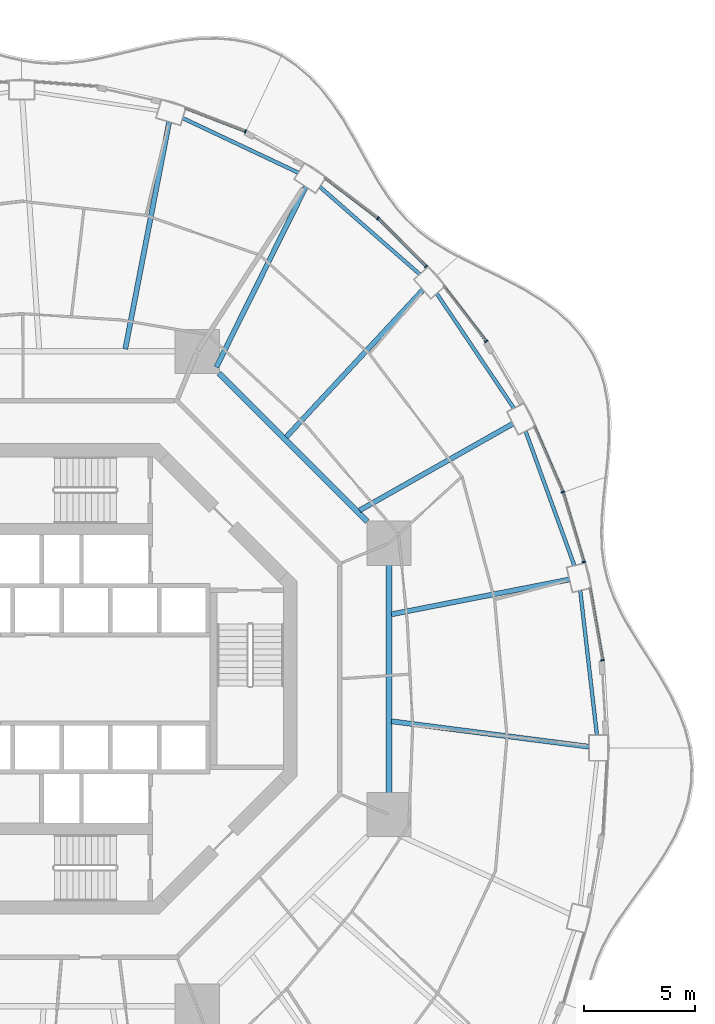
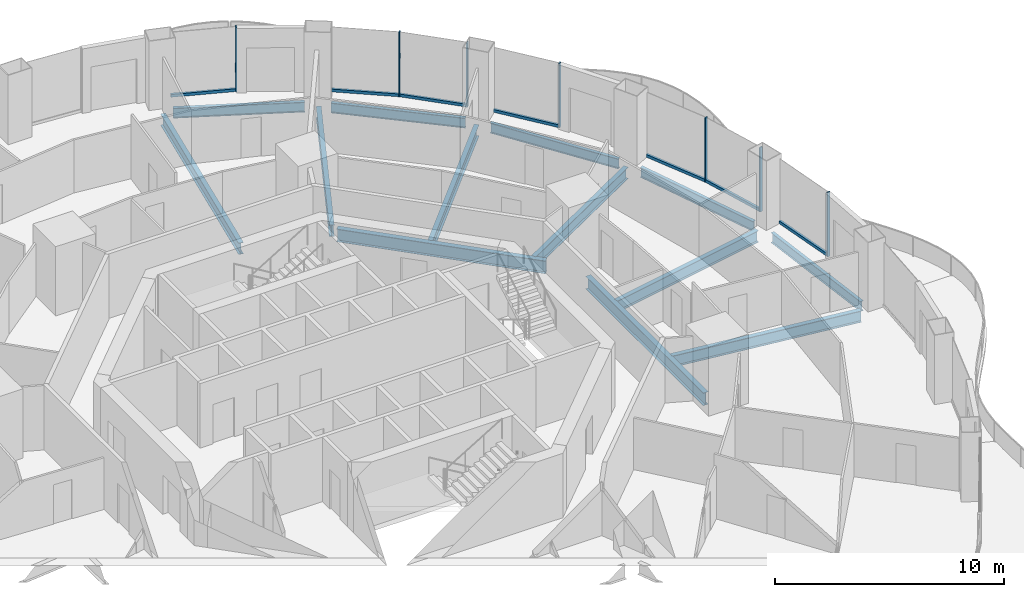
# One storey, part 8 of 19: 14 members, 13 beams, 7 elements without a shape of their own.
"""IFC4 building model written with IfcOpenShell, lengths in metres."""

from ifc_helpers import new_model, si_unit, direction, frame, origin, origin_2d, place, context, subcontext, project, spatial, rectangle, i_section, extrude, material, layer, layer_set, material_profile, profile_set, type_object, element, aggregate, save


model = new_model("IFC4")

# Units and contexts
model_context = context("Model", 3, precision=1e-05, world=origin(), true_north=direction((0.0, 1.0)))
body_context = subcontext(model_context, "Body", "Model", "MODEL_VIEW")
ifc_project = project(units=[si_unit("LENGTHUNIT", "METRE"), si_unit("AREAUNIT", "SQUARE_METRE"), si_unit("VOLUMEUNIT", "CUBIC_METRE"), si_unit("PLANEANGLEUNIT", "RADIAN"), si_unit("MASSUNIT", "GRAM", prefix="KILO")], contexts=[model_context])

# Site, building, storey
site_placement = place(None, origin())
site = spatial("IfcSite", under=ifc_project, at=site_placement, CompositionType="ELEMENT")
building_placement = place(site_placement, origin())
building = spatial("IfcBuilding", under=site, at=building_placement, Name="Nagisa Residences", CompositionType="ELEMENT")
storey_placement = place(building_placement, frame((0.0, 0.0, 149.199951171875)))
storey = spatial("IfcBuildingStorey", under=building, at=storey_placement, Name="L37", CompositionType="ELEMENT", Elevation=149.199951171875)

# Curtain wall, member
ifc_material_1 = material(Name="Concrete-coloured aluminium curtain wall system", Category="concrete")
ifc_layer = layer(ifc_material_1, 0.159912109375)
ifc_layer_set = layer_set([ifc_layer], Name="CW1 CURTAIN WALL")
curtain_wall_type = type_object("IfcCurtainWallType", Name="CW1 CURTAIN WALL", PredefinedType="NOTDEFINED", material=ifc_layer_set)
curtain_wall_1_placement = place(storey_placement, origin())
curtain_wall_1 = element("IfcCurtainWall", 1, at=curtain_wall_1_placement, inside=storey, type_object=curtain_wall_type, Name="cw:CW1:L37:01", PredefinedType="NOTDEFINED")
ifc_material_2 = material(Name="Concrete-coloured aluminium", Category="concrete")
ifc_material_profile_1 = material_profile(ifc_material_2, rectangle(XDim=0.159912109375, YDim=0.06005859375, at=origin_2d()), Name="CW1 MULLION 160x60")
ifc_profile_set_1 = profile_set([ifc_material_profile_1], Name="Concrete-coloured aluminium")
member_type_1 = type_object("IfcMemberType", Name="CW1 MULLION 160x60", PredefinedType="MULLION", material=ifc_profile_set_1)
member_1_placement = place(storey_placement, frame((24.424072265625, 0.83935546875, 0.0), z_axis=(0.0, 0.0, 1.0), x_axis=(-0.985063604377, -0.172190868898, 0.0)))
member_1 = element("IfcMember", 2, at=member_1_placement, type_object=member_type_1, Name="CW1 mullion", PredefinedType="MULLION", context=body_context, shape_type="SweptSolid", body=[
    extrude(rectangle(XDim=0.159912109375, YDim=0.06005859375, at=origin_2d()), origin(), (0.0, 0.0, 1.0), 3.43994140625),
])

curtain_wall_2_placement = place(storey_placement, origin())
curtain_wall_2 = element("IfcCurtainWall", 3, at=curtain_wall_2_placement, inside=storey, type_object=curtain_wall_type, Name="cw:CW1:L37:02", PredefinedType="NOTDEFINED")
member_2_placement = place(storey_placement, frame((23.573974609375, 5.278076171875, 0.0), z_axis=(0.0, 0.0, 1.0), x_axis=(-0.958271310082, -0.285860274038, 0.0)))
member_2 = element("IfcMember", 4, at=member_2_placement, type_object=member_type_1, Name="CW1 mullion", PredefinedType="MULLION", context=body_context, shape_type="SweptSolid", body=[
    extrude(rectangle(XDim=0.159912109375, YDim=0.06005859375, at=origin_2d()), origin(), (0.0, 0.0, 1.0), 3.43994140625),
])

curtain_wall_3_placement = place(storey_placement, origin())
curtain_wall_3 = element("IfcCurtainWall", 5, at=curtain_wall_3_placement, inside=storey, type_object=curtain_wall_type, Name="cw:CW1:L37:03", PredefinedType="NOTDEFINED")
member_3_placement = place(storey_placement, frame((22.6298828125, 8.43310546875, 0.0), z_axis=(0.0, 0.0, 1.0), x_axis=(-0.917543276295, -0.397635934147, 0.0)))
member_3 = element("IfcMember", 6, at=member_3_placement, type_object=member_type_1, Name="CW1 mullion", PredefinedType="MULLION", context=body_context, shape_type="SweptSolid", body=[
    extrude(rectangle(XDim=0.159912109375, YDim=0.06005859375, at=origin_2d()), origin(), (0.0, 0.0, 1.0), 3.43994140625),
])

curtain_wall_4_placement = place(storey_placement, origin())
curtain_wall_4 = element("IfcCurtainWall", 7, at=curtain_wall_4_placement, inside=storey, type_object=curtain_wall_type, Name="cw:CW1:L37:05", PredefinedType="NOTDEFINED")
member_4_placement = place(storey_placement, frame((19.169921875, 15.23876953125, 0.0), z_axis=(0.0, 0.0, 1.0), x_axis=(-0.792070340816, -0.610429828235, 0.0)))
member_4 = element("IfcMember", 8, at=member_4_placement, type_object=member_type_1, Name="CW1 mullion", PredefinedType="MULLION", context=body_context, shape_type="SweptSolid", body=[
    extrude(rectangle(XDim=0.159912109375, YDim=0.06005859375, at=origin_2d()), origin(), (0.0, 0.0, 1.0), 3.43994140625),
])

curtain_wall_5_placement = place(storey_placement, origin())
curtain_wall_5 = element("IfcCurtainWall", 9, at=curtain_wall_5_placement, inside=storey, type_object=curtain_wall_type, Name="cw:CW1:L37:06", PredefinedType="NOTDEFINED")
member_5_placement = place(storey_placement, frame((16.460693359375, 18.621826171875, 0.0), z_axis=(0.0, 0.0, 1.0), x_axis=(-0.706376885714, -0.707835924016, 0.0)))
member_5 = element("IfcMember", 10, at=member_5_placement, type_object=member_type_1, Name="CW1 mullion", PredefinedType="MULLION", context=body_context, shape_type="SweptSolid", body=[
    extrude(rectangle(XDim=0.159912109375, YDim=0.06005859375, at=origin_2d()), origin(), (0.0, 0.0, 1.0), 3.43994140625),
])

curtain_wall_6_placement = place(storey_placement, origin())
curtain_wall_6 = element("IfcCurtainWall", 11, at=curtain_wall_6_placement, inside=storey, type_object=curtain_wall_type, Name="cw:CW1:L37:07", PredefinedType="NOTDEFINED")
member_6_placement = place(storey_placement, frame((14.28125, 20.7919921875, 0.0), z_axis=(0.0, 0.0, 1.0), x_axis=(-0.605255421737, -0.79603132756, 0.0)))
member_6 = element("IfcMember", 12, at=member_6_placement, type_object=member_type_1, Name="CW1 mullion", PredefinedType="MULLION", context=body_context, shape_type="SweptSolid", body=[
    extrude(rectangle(XDim=0.159912109375, YDim=0.06005859375, at=origin_2d()), origin(), (0.0, 0.0, 1.0), 3.43994140625),
])

curtain_wall_7_placement = place(storey_placement, origin())
curtain_wall_7 = element("IfcCurtainWall", 13, at=curtain_wall_7_placement, inside=storey, type_object=curtain_wall_type, Name="cw:CW1:L37:09", PredefinedType="NOTDEFINED")
member_7_placement = place(storey_placement, frame((8.297607421875, 24.715087890625, 0.0), z_axis=(0.0, 0.0, 1.0), x_axis=(-0.360327770268, -0.932825759707, 0.0)))
member_7 = element("IfcMember", 14, at=member_7_placement, type_object=member_type_1, Name="CW1 mullion", PredefinedType="MULLION", context=body_context, shape_type="SweptSolid", body=[
    extrude(rectangle(XDim=0.159912109375, YDim=0.06005859375, at=origin_2d()), origin(), (0.0, 0.0, 1.0), 3.43994140625),
])

# Member
ifc_material_3 = material(Name="Concrete-coloured aluminium", Category="concrete")
ifc_material_profile_2 = material_profile(ifc_material_3, rectangle(XDim=0.1201171875, YDim=0.14990234375, at=origin_2d()), Name="CW1 TRANSOM 120x150")
ifc_profile_set_2 = profile_set([ifc_material_profile_2], Name="Concrete-coloured aluminium")
member_type_2 = type_object("IfcMemberType", Name="CW1 TRANSOM 120x150", PredefinedType="USERDEFINED", material=ifc_profile_set_2)
member_8_placement = place(storey_placement, frame((24.42919921875, 0.809814453125, 0.074951171875), z_axis=(-0.172163521006, 0.985068384446, 0.0), x_axis=(-0.985068384446, -0.172163521006, 0.0)))
member_8 = element("IfcMember", 15, at=member_8_placement, type_object=member_type_2, Name="CW1 transom", ObjectType="TRANSOM", PredefinedType="USERDEFINED", context=body_context, shape_type="SweptSolid", body=[
    extrude(rectangle(XDim=0.1201171875, YDim=0.14990234375, at=origin_2d()), origin(), (0.0, 0.0, 1.0), 3.33251953125),
])

aggregate(curtain_wall_1, [member_1, member_8])

member_9_placement = place(storey_placement, frame((23.582763671875, 5.24951171875, 0.074951171875), z_axis=(-0.285909915381, 0.958256500258, 0.0), x_axis=(-0.958256500258, -0.285909915381, 0.0)))
member_9 = element("IfcMember", 16, at=member_9_placement, type_object=member_type_2, Name="CW1 transom", ObjectType="TRANSOM", PredefinedType="USERDEFINED", context=body_context, shape_type="SweptSolid", body=[
    extrude(rectangle(XDim=0.1201171875, YDim=0.14990234375, at=origin_2d()), origin(), (0.0, 0.0, 1.0), 3.302978515625),
])

aggregate(curtain_wall_2, [member_2, member_9])

member_10_placement = place(storey_placement, frame((22.641845703125, 8.405517578125, 0.074951171875), z_axis=(-0.397638954585, 0.917541967321, 0.0), x_axis=(-0.917541967321, -0.397638954585, 0.0)))
member_10 = element("IfcMember", 17, at=member_10_placement, type_object=member_type_2, Name="CW1 transom", ObjectType="TRANSOM", PredefinedType="USERDEFINED", context=body_context, shape_type="SweptSolid", body=[
    extrude(rectangle(XDim=0.1201171875, YDim=0.14990234375, at=origin_2d()), origin(), (0.0, 0.0, 1.0), 3.2607421875),
])

aggregate(curtain_wall_3, [member_3, member_10])

member_11_placement = place(storey_placement, frame((19.188232421875, 15.215087890625, 0.074951171875), z_axis=(-0.610467332273, 0.792041435928, 0.0), x_axis=(-0.792041435928, -0.610467332273, 0.0)))
member_11 = element("IfcMember", 18, at=member_11_placement, type_object=member_type_2, Name="CW1 transom", ObjectType="TRANSOM", PredefinedType="USERDEFINED", context=body_context, shape_type="SweptSolid", body=[
    extrude(rectangle(XDim=0.1201171875, YDim=0.14990234375, at=origin_2d()), origin(), (0.0, 0.0, 1.0), 3.14892578125),
])

aggregate(curtain_wall_4, [member_4, member_11])

member_12_placement = place(storey_placement, frame((16.48193359375, 18.6005859375, 0.074951171875), z_axis=(-0.707857739375, 0.706355024621, 0.0), x_axis=(-0.706355024621, -0.707857739375, 0.0)))
member_12 = element("IfcMember", 19, at=member_12_placement, type_object=member_type_2, Name="CW1 transom", ObjectType="TRANSOM", PredefinedType="USERDEFINED", context=body_context, shape_type="SweptSolid", body=[
    extrude(rectangle(XDim=0.1201171875, YDim=0.14990234375, at=origin_2d()), origin(), (0.0, 0.0, 1.0), 3.0869140625),
])

aggregate(curtain_wall_5, [member_5, member_12])

member_13_placement = place(storey_placement, frame((14.30517578125, 20.77392578125, 0.074951171875), z_axis=(-0.796022231079, 0.605267385233, 0.0), x_axis=(-0.605267385233, -0.796022231079, 0.0)))
member_13 = element("IfcMember", 20, at=member_13_placement, type_object=member_type_2, Name="CW1 transom", ObjectType="TRANSOM", PredefinedType="USERDEFINED", context=body_context, shape_type="SweptSolid", body=[
    extrude(rectangle(XDim=0.1201171875, YDim=0.14990234375, at=origin_2d()), origin(), (0.0, 0.0, 1.0), 3.025634765625),
])

aggregate(curtain_wall_6, [member_6, member_13])

member_14_placement = place(storey_placement, frame((8.32568359375, 24.704345703125, 0.074951171875), z_axis=(-0.932845344347, 0.360277064952, 0.0), x_axis=(-0.360277064952, -0.932845344347, 0.0)))
member_14 = element("IfcMember", 21, at=member_14_placement, type_object=member_type_2, Name="CW1 transom", ObjectType="TRANSOM", PredefinedType="USERDEFINED", context=body_context, shape_type="SweptSolid", body=[
    extrude(rectangle(XDim=0.1201171875, YDim=0.14990234375, at=origin_2d()), origin(), (0.0, 0.0, 1.0), 2.92333984375),
])

aggregate(curtain_wall_7, [member_7, member_14])

# Beams
ifc_material_4 = material(Name="Steel ASTM A572 Gr 50", Category="steel")
ifc_material_profile_3 = material_profile(ifc_material_4, i_section(OverallWidth=0.25390625, OverallDepth=0.68408203125, WebThickness=0.012451171875, FlangeThickness=0.018798828125, at=origin_2d()), Name="W690x140")
ifc_profile_set_3 = profile_set([ifc_material_profile_3], Name="Steel ASTM A572 Gr 50")
beam_type_1 = type_object("IfcBeamType", Name="Inner ring beam W690x140", PredefinedType="BEAM", material=ifc_profile_set_3)
beam_1_placement = place(storey_placement, frame((13.796142578125, 7.10888671875, -0.60205078125), z_axis=(-0.707106781187, 0.707106781187, 0.0), x_axis=(-0.707106781187, -0.707106781187, 0.0)))
element("IfcBeam", 22, at=beam_1_placement, inside=storey, type_object=beam_type_1, Name="beam:L37:ib1", PredefinedType="BEAM", context=body_context, shape_type="SweptSolid", body=[
    extrude(i_section(OverallWidth=0.25390625, OverallDepth=0.68408203125, WebThickness=0.012451171875, FlangeThickness=0.018798828125, at=origin_2d()), origin(), (0.0, 0.0, 1.0), 9.457275390625),
])
beam_2_placement = place(storey_placement, frame((14.781982421875, -5.142822265625, -0.60205078125), z_axis=(0.0, 1.0, 0.0), x_axis=(-1.0, 0.0, 0.0)))
element("IfcBeam", 23, at=beam_2_placement, inside=storey, type_object=beam_type_1, Name="beam:L37:ib8", PredefinedType="BEAM", context=body_context, shape_type="SweptSolid", body=[
    extrude(i_section(OverallWidth=0.25390625, OverallDepth=0.68408203125, WebThickness=0.012451171875, FlangeThickness=0.018798828125, at=origin_2d()), origin(), (0.0, 0.0, 1.0), 10.28564453125),
])
ifc_material_5 = material(Name="Steel ASTM A572 Gr 50", Category="steel")
ifc_material_profile_4 = material_profile(ifc_material_5, i_section(OverallWidth=0.166015625, OverallDepth=0.534912109375, WebThickness=0.01025390625, FlangeThickness=0.0166015625, at=origin_2d()), Name="W530x85")
ifc_profile_set_4 = profile_set([ifc_material_profile_4], Name="Steel ASTM A572 Gr 50")
beam_type_2 = type_object("IfcBeamType", Name="Perimeter ring beam W530x85", PredefinedType="BEAM", material=ifc_profile_set_4)
beam_3_placement = place(storey_placement, frame((24.16796875, -2.53759765625, -0.52734375), z_axis=(-0.114660786771, 0.993404703017, 0.0), x_axis=(-0.993404703017, -0.114660786771, 0.0)))
element("IfcBeam", 24, at=beam_3_placement, inside=storey, type_object=beam_type_2, Name="beam:L37:pb01", PredefinedType="BEAM", context=body_context, shape_type="SweptSolid", body=[
    extrude(i_section(OverallWidth=0.166015625, OverallDepth=0.534912109375, WebThickness=0.01025390625, FlangeThickness=0.0166015625, at=origin_2d()), origin(), (0.0, 0.0, 1.0), 6.568603515625),
])
beam_4_placement = place(storey_placement, frame((23.1484375, 5.116943359375, -0.52734375), z_axis=(-0.341332802315, 0.93994250785, 0.0), x_axis=(-0.93994250785, -0.341332802315, 0.0)))
element("IfcBeam", 25, at=beam_4_placement, inside=storey, type_object=beam_type_2, Name="beam:L37:pb02", PredefinedType="BEAM", context=body_context, shape_type="SweptSolid", body=[
    extrude(i_section(OverallWidth=0.166015625, OverallDepth=0.534912109375, WebThickness=0.01025390625, FlangeThickness=0.0166015625, at=origin_2d()), origin(), (0.0, 0.0, 1.0), 6.450927734375),
])
beam_5_placement = place(storey_placement, frame((20.420654296875, 12.21484375, -0.52734375), z_axis=(-0.558187951157, 0.82971453596, 0.0), x_axis=(-0.82971453596, -0.558187951157, 0.0)))
element("IfcBeam", 26, at=beam_5_placement, inside=storey, type_object=beam_type_2, Name="beam:L37:pb03", PredefinedType="BEAM", context=body_context, shape_type="SweptSolid", body=[
    extrude(i_section(OverallWidth=0.166015625, OverallDepth=0.534912109375, WebThickness=0.01025390625, FlangeThickness=0.0166015625, at=origin_2d()), origin(), (0.0, 0.0, 1.0), 6.24267578125),
])
beam_6_placement = place(storey_placement, frame((16.169189453125, 18.26513671875, -0.52734375), z_axis=(-0.752503526528, 0.658588219272, 0.0), x_axis=(-0.658588219272, -0.752503526528, 0.0)))
element("IfcBeam", 27, at=beam_6_placement, inside=storey, type_object=beam_type_2, Name="beam:L37:pb04", PredefinedType="BEAM", context=body_context, shape_type="SweptSolid", body=[
    extrude(i_section(OverallWidth=0.166015625, OverallDepth=0.534912109375, WebThickness=0.01025390625, FlangeThickness=0.0166015625, at=origin_2d()), origin(), (0.0, 0.0, 1.0), 5.99462890625),
])
beam_7_placement = place(storey_placement, frame((10.687744140625, 22.84912109375, -0.52734375), z_axis=(-0.904169699539, 0.427173447719, 0.0), x_axis=(-0.427173447719, -0.904169699539, 0.0)))
element("IfcBeam", 28, at=beam_7_placement, inside=storey, type_object=beam_type_2, Name="beam:L37:pb05", PredefinedType="BEAM", context=body_context, shape_type="SweptSolid", body=[
    extrude(i_section(OverallWidth=0.166015625, OverallDepth=0.534912109375, WebThickness=0.01025390625, FlangeThickness=0.0166015625, at=origin_2d()), origin(), (0.0, 0.0, 1.0), 5.7724609375),
])
ifc_material_6 = material(Name="Steel ASTM A572 Gr 50", Category="steel")
ifc_material_profile_5 = material_profile(ifc_material_6, i_section(OverallWidth=0.22900390625, OverallDepth=0.612060546875, WebThickness=0.011962890625, FlangeThickness=0.01953125, at=origin_2d()), Name="W610x125")
ifc_profile_set_5 = profile_set([ifc_material_profile_5], Name="Steel ASTM A572 Gr 50")
beam_type_3 = type_object("IfcBeamType", Name="Radial beam W610x125", PredefinedType="BEAM", material=ifc_profile_set_5)
beam_8_placement = place(storey_placement, frame((23.804931640625, -3.062255859375, -0.56591796875), z_axis=(-0.991829934558, 0.127567162371, 0.0), x_axis=(-0.127567162371, -0.991829934558, 0.0)))
element("IfcBeam", 29, at=beam_8_placement, inside=storey, type_object=beam_type_3, Name="beam:L37:rb01", PredefinedType="BEAM", context=body_context, shape_type="SweptSolid", body=[
    extrude(i_section(OverallWidth=0.22900390625, OverallDepth=0.612060546875, WebThickness=0.011962890625, FlangeThickness=0.01953125, at=origin_2d()), origin(), (0.0, 0.0, 1.0), 8.9892578125),
])
beam_9_placement = place(storey_placement, frame((22.925537109375, 4.4853515625, -0.56591796875), z_axis=(-0.981393143406, -0.192009109355, 0.0), x_axis=(0.192009109355, -0.981393143406, 0.0)))
element("IfcBeam", 30, at=beam_9_placement, inside=storey, type_object=beam_type_3, Name="beam:L37:rb02", PredefinedType="BEAM", context=body_context, shape_type="SweptSolid", body=[
    extrude(i_section(OverallWidth=0.22900390625, OverallDepth=0.612060546875, WebThickness=0.011962890625, FlangeThickness=0.01953125, at=origin_2d()), origin(), (0.0, 0.0, 1.0), 8.1884765625),
])
beam_10_placement = place(storey_placement, frame((20.372314453125, 11.51806640625, -0.56591796875), z_axis=(-0.870505636565, -0.492158446751, 0.0), x_axis=(0.492158446751, -0.870505636565, 0.0)))
element("IfcBeam", 31, at=beam_10_placement, inside=storey, type_object=beam_type_3, Name="beam:L37:rb03", PredefinedType="BEAM", context=body_context, shape_type="SweptSolid", body=[
    extrude(i_section(OverallWidth=0.22900390625, OverallDepth=0.612060546875, WebThickness=0.011962890625, FlangeThickness=0.01953125, at=origin_2d()), origin(), (0.0, 0.0, 1.0), 7.949951171875),
])
beam_11_placement = place(storey_placement, frame((16.315185546875, 17.56298828125, -0.56591796875), z_axis=(-0.680605908425, -0.7326497099, 0.0), x_axis=(0.7326497099, -0.680605908425, 0.0)))
element("IfcBeam", 32, at=beam_11_placement, inside=storey, type_object=beam_type_3, Name="beam:L37:rb04", PredefinedType="BEAM", context=body_context, shape_type="SweptSolid", body=[
    extrude(i_section(OverallWidth=0.22900390625, OverallDepth=0.612060546875, WebThickness=0.011962890625, FlangeThickness=0.01953125, at=origin_2d()), origin(), (0.0, 0.0, 1.0), 9.072509765625),
])
beam_12_placement = place(storey_placement, frame((11.02490234375, 22.2109375, -0.56591796875), z_axis=(-0.444599872799, -0.895729285614, 0.0), x_axis=(0.895729285614, -0.444599872799, 0.0)))
element("IfcBeam", 33, at=beam_12_placement, inside=storey, type_object=beam_type_3, Name="beam:L37:rb05", PredefinedType="BEAM", context=body_context, shape_type="SweptSolid", body=[
    extrude(i_section(OverallWidth=0.22900390625, OverallDepth=0.612060546875, WebThickness=0.011962890625, FlangeThickness=0.01953125, at=origin_2d()), origin(), (0.0, 0.0, 1.0), 9.085693359375),
])
beam_13_placement = place(storey_placement, frame((4.8564453125, 25.140869140625, -0.56591796875), z_axis=(-0.189659094365, -0.981850002762, 0.0), x_axis=(0.981850002762, -0.189659094365, 0.0)))
element("IfcBeam", 34, at=beam_13_placement, inside=storey, type_object=beam_type_3, Name="beam:L37:rb06", PredefinedType="BEAM", context=body_context, shape_type="SweptSolid", body=[
    extrude(i_section(OverallWidth=0.22900390625, OverallDepth=0.612060546875, WebThickness=0.011962890625, FlangeThickness=0.01953125, at=origin_2d()), origin(), (0.0, 0.0, 1.0), 10.44091796875),
])

save(model, "model.ifc")
